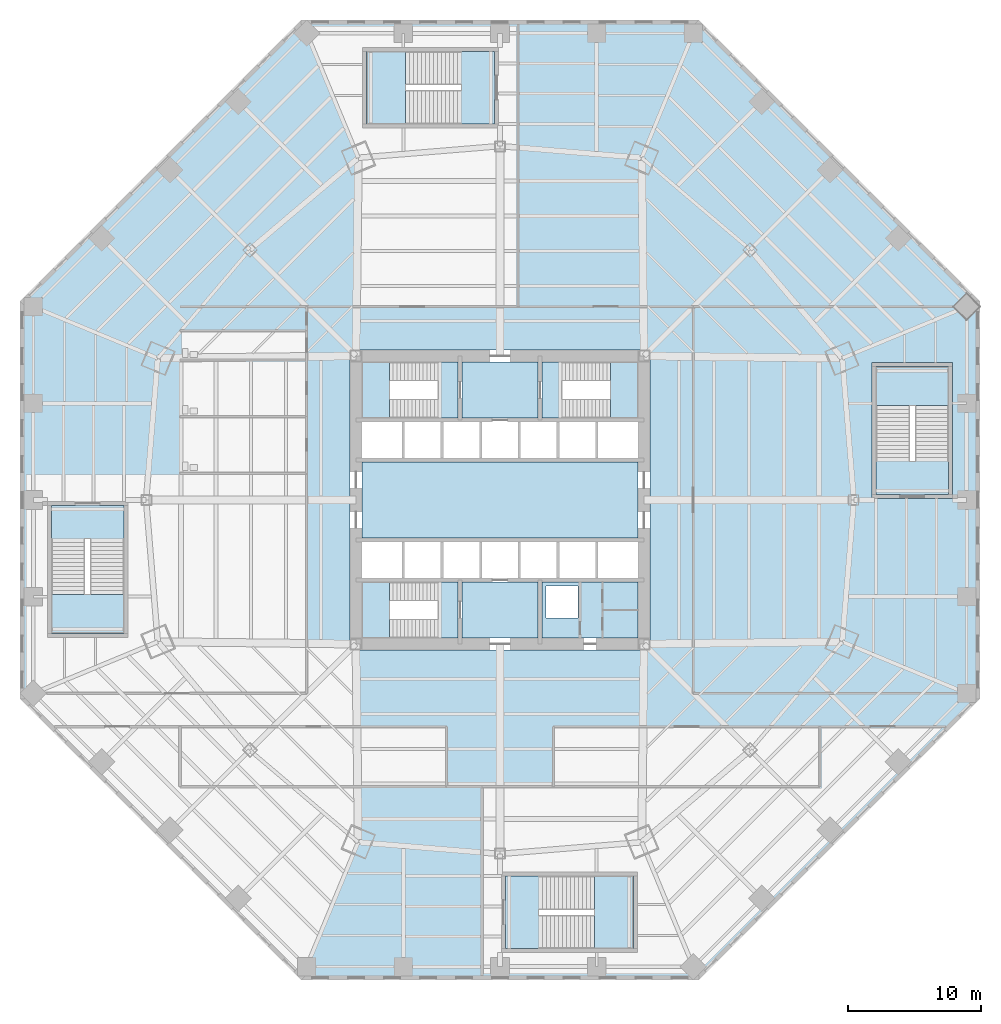
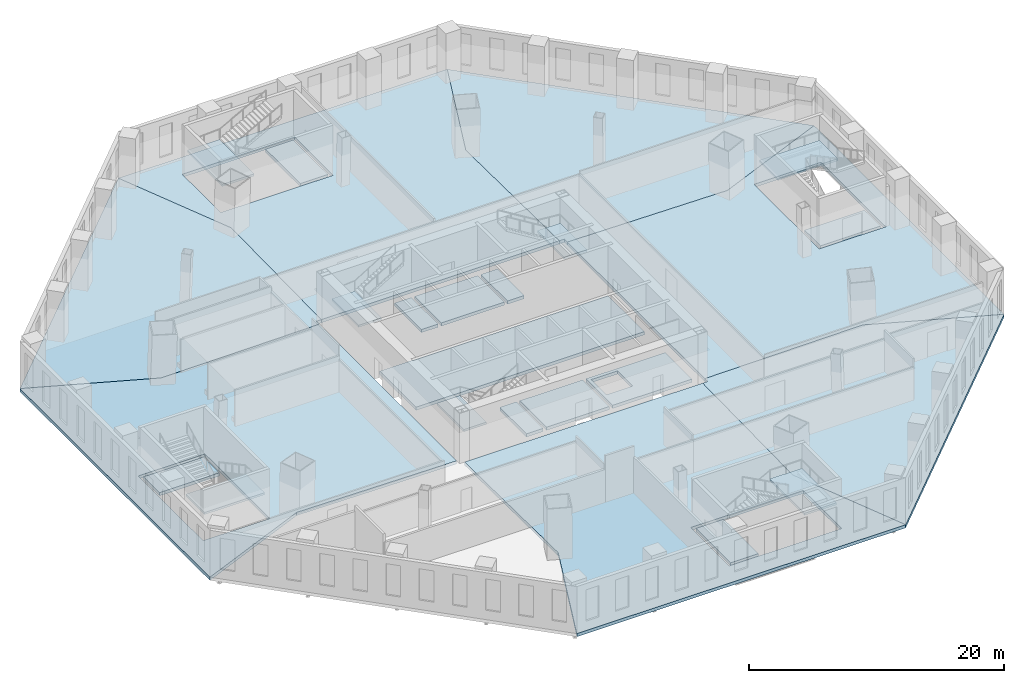
# One storey, part 7 of 19: 25 slabs, 7 elements without a shape of their own.
"""IFC4 building model written with IfcOpenShell, lengths in metres."""

from ifc_helpers import new_model, si_unit, direction, frame, origin, place, context, subcontext, project, spatial, polyline, outline, extrude, material, layer, layer_set, type_object, element, aggregate, save


model = new_model("IFC4")

# Units and contexts
model_context = context("Model", 3, precision=1e-05, world=origin(), true_north=direction((0.0, 1.0)))
body_context = subcontext(model_context, "Body", "Model", "MODEL_VIEW")
ifc_project = project(units=[si_unit("LENGTHUNIT", "METRE"), si_unit("AREAUNIT", "SQUARE_METRE"), si_unit("VOLUMEUNIT", "CUBIC_METRE"), si_unit("PLANEANGLEUNIT", "RADIAN"), si_unit("MASSUNIT", "GRAM", prefix="KILO")], contexts=[model_context])

# Site, building, storey
site_placement = place(None, origin())
site = spatial("IfcSite", under=ifc_project, at=site_placement, CompositionType="ELEMENT")
building_placement = place(site_placement, origin())
building = spatial("IfcBuilding", under=site, at=building_placement, Name="Mashrafa Tower", CompositionType="ELEMENT")
storey_placement = place(building_placement, frame((0.0, 0.0, 24.0)))
storey = spatial("IfcBuildingStorey", under=building, at=storey_placement, Name="L04", CompositionType="ELEMENT", Elevation=24.0)

# Slabs
ifc_material_1 = material(Name="Concrete C35/45", Category="concrete")
ifc_layer_1 = layer(ifc_material_1, 0.300048828125)
ifc_layer_set_1 = layer_set([ifc_layer_1], Name="Floor slab 300")
slab_type_1 = type_object("IfcSlabType", Name="Floor slab 300", PredefinedType="FLOOR", material=ifc_layer_set_1)
slab_1_placement = place(storey_placement, frame((0.0, 0.0, -0.300048828125)))
element("IfcSlab", 1, at=slab_1_placement, inside=storey, type_object=slab_type_1, Name="Floor slab L04 east bay", PredefinedType="FLOOR", context=body_context, shape_type="SweptSolid", body=[
    extrude(outline(polyline([(36.0, 14.91162109375), (36.0, -14.91162109375), (36.0, -14.91162109375), (35.0, -14.49755859375), (25.666015625, -10.631103515625), (11.25, -10.794921875), (11.25, 10.794921875), (25.666015625, 10.631103515625), (35.0, 14.49755859375), (36.0, 14.91162109375), (36.0, 14.91162109375)]), holes=[polyline([(33.949951171875, 0.10009765625), (33.949951171875, 10.300048828125), (27.89990234375, 10.300048828125), (27.89990234375, 0.10009765625), (33.949951171875, 0.10009765625)])]), origin(), (0.0, 0.0, 1.0), 0.300048828125),
])
slab_2_placement = place(storey_placement, frame((0.0, 0.0, -0.300048828125)))
element("IfcSlab", 2, at=slab_2_placement, inside=storey, type_object=slab_type_1, Name="Floor slab L04 north-east bay", PredefinedType="FLOOR", context=body_context, shape_type="SweptSolid", body=[
    extrude(outline(polyline([(36.0, 14.91162109375), (35.0, 14.49755859375), (25.666015625, 10.631103515625), (11.25, 10.794921875), (11.25, 11.25), (10.794921875, 11.25), (10.631103515625, 25.666015625), (14.49755859375, 35.0), (14.91162109375, 36.0), (36.0, 14.91162109375)])), origin(), (0.0, 0.0, 1.0), 0.300048828125),
])
slab_3_placement = place(storey_placement, frame((0.0, 0.0, -0.300048828125)))
element("IfcSlab", 3, at=slab_3_placement, inside=storey, type_object=slab_type_1, Name="Floor slab L04 north bay", PredefinedType="FLOOR", context=body_context, shape_type="SweptSolid", body=[
    extrude(outline(polyline([(-14.91162109375, 36.0), (14.91162109375, 36.0), (14.91162109375, 36.0), (14.49755859375, 35.0), (10.631103515625, 25.666015625), (10.794921875, 11.25), (-10.794921875, 11.25), (-10.631103515625, 25.666015625), (-14.49755859375, 35.0), (-14.91162109375, 36.0), (-14.91162109375, 36.0)]), holes=[polyline([(-10.300048828125, 27.89990234375), (-0.10009765625, 27.89990234375), (-0.10009765625, 33.949951171875), (-10.300048828125, 33.949951171875), (-10.300048828125, 27.89990234375)])]), origin(), (0.0, 0.0, 1.0), 0.300048828125),
])
slab_4_placement = place(storey_placement, frame((0.0, 0.0, -0.300048828125)))
element("IfcSlab", 4, at=slab_4_placement, inside=storey, type_object=slab_type_1, Name="Floor slab L04 north-west bay", PredefinedType="FLOOR", context=body_context, shape_type="SweptSolid", body=[
    extrude(outline(polyline([(-14.91162109375, 36.0), (-14.49755859375, 35.0), (-10.631103515625, 25.666015625), (-10.794921875, 11.25), (-11.25, 11.25), (-11.25, 10.794921875), (-25.666015625, 10.631103515625), (-35.0, 14.49755859375), (-36.0, 14.91162109375), (-14.91162109375, 36.0)])), origin(), (0.0, 0.0, 1.0), 0.300048828125),
])
slab_5_placement = place(storey_placement, frame((0.0, 0.0, -0.300048828125)))
element("IfcSlab", 5, at=slab_5_placement, inside=storey, type_object=slab_type_1, Name="Floor slab L04 west bay", PredefinedType="FLOOR", context=body_context, shape_type="SweptSolid", body=[
    extrude(outline(polyline([(-36.0, -14.91162109375), (-36.0, 14.91162109375), (-36.0, 14.91162109375), (-35.0, 14.49755859375), (-25.666015625, 10.631103515625), (-11.25, 10.794921875), (-11.25, -10.794921875), (-25.666015625, -10.631103515625), (-35.0, -14.49755859375), (-36.0, -14.91162109375), (-36.0, -14.91162109375)]), holes=[polyline([(-27.89990234375, -10.300048828125), (-27.89990234375, -0.10009765625), (-33.949951171875, -0.10009765625), (-33.949951171875, -10.300048828125), (-27.89990234375, -10.300048828125)])]), origin(), (0.0, 0.0, 1.0), 0.300048828125),
])
slab_6_placement = place(storey_placement, frame((0.0, 0.0, -0.300048828125)))
element("IfcSlab", 6, at=slab_6_placement, inside=storey, type_object=slab_type_1, Name="Floor slab L04 south bay", PredefinedType="FLOOR", context=body_context, shape_type="SweptSolid", body=[
    extrude(outline(polyline([(-14.91162109375, -36.0), (-14.91162109375, -36.0), (-14.49755859375, -35.0), (-10.631103515625, -25.666015625), (-10.794921875, -11.25), (10.794921875, -11.25), (10.631103515625, -25.666015625), (14.49755859375, -35.0), (14.91162109375, -36.0), (14.91162109375, -36.0), (-14.91162109375, -36.0)]), holes=[polyline([(10.300048828125, -33.949951171875), (10.300048828125, -27.89990234375), (0.10009765625, -27.89990234375), (0.10009765625, -33.949951171875), (10.300048828125, -33.949951171875)])]), origin(), (0.0, 0.0, 1.0), 0.300048828125),
])
slab_7_placement = place(storey_placement, frame((0.0, 0.0, -0.300048828125)))
element("IfcSlab", 7, at=slab_7_placement, inside=storey, type_object=slab_type_1, Name="Floor slab L04 south-east bay", PredefinedType="FLOOR", context=body_context, shape_type="SweptSolid", body=[
    extrude(outline(polyline([(14.91162109375, -36.0), (14.49755859375, -35.0), (10.631103515625, -25.666015625), (10.794921875, -11.25), (11.25, -11.25), (11.25, -10.794921875), (25.666015625, -10.631103515625), (35.0, -14.49755859375), (36.0, -14.91162109375), (14.91162109375, -36.0)])), origin(), (0.0, 0.0, 1.0), 0.300048828125),
])
slab_8_placement = place(storey_placement, frame((0.0, 0.0, -0.300048828125)))
element("IfcSlab", 8, at=slab_8_placement, inside=storey, type_object=slab_type_1, Name="Core floor lift hall L04", PredefinedType="FLOOR", context=body_context, shape_type="SweptSolid", body=[
    extrude(outline(polyline([(-10.35009765625, 2.85009765625), (10.35009765625, 2.85009765625), (10.35009765625, -2.85009765625), (-10.35009765625, -2.85009765625), (-10.35009765625, 2.85009765625)])), origin(), (0.0, 0.0, 1.0), 0.300048828125),
])
slab_9_placement = place(storey_placement, frame((0.0, 0.0, -0.300048828125)))
element("IfcSlab", 9, at=slab_9_placement, inside=storey, type_object=slab_type_1, Name="Core floor riser and electrical band L04", PredefinedType="FLOOR", context=body_context, shape_type="SweptSolid", body=[
    extrude(outline(polyline([(10.35009765625, -6.14990234375), (10.35009765625, -10.35009765625), (3.14990234375, -10.35009765625), (3.14990234375, -6.14990234375), (10.35009765625, -6.14990234375)]), holes=[polyline([(3.449951171875, -8.85009765625), (5.85009765625, -8.85009765625), (5.85009765625, -6.449951171875), (3.449951171875, -6.449951171875), (3.449951171875, -8.85009765625)])]), origin(), (0.0, 0.0, 1.0), 0.300048828125),
])
slab_10_placement = place(storey_placement, frame((0.0, 0.0, -0.300048828125)))
element("IfcSlab", 10, at=slab_10_placement, inside=storey, type_object=slab_type_1, Name="Core floor fire-fighting lobby north L04", PredefinedType="FLOOR", context=body_context, shape_type="SweptSolid", body=[
    extrude(outline(polyline([(-2.85009765625, 10.35009765625), (2.85009765625, 10.35009765625), (2.85009765625, 6.14990234375), (-2.85009765625, 6.14990234375), (-2.85009765625, 10.35009765625)])), origin(), (0.0, 0.0, 1.0), 0.300048828125),
])
slab_11_placement = place(storey_placement, frame((0.0, 0.0, -0.300048828125)))
element("IfcSlab", 11, at=slab_11_placement, inside=storey, type_object=slab_type_1, Name="Core floor fire-fighting lobby south L04", PredefinedType="FLOOR", context=body_context, shape_type="SweptSolid", body=[
    extrude(outline(polyline([(2.85009765625, -6.14990234375), (2.85009765625, -10.35009765625), (-2.85009765625, -10.35009765625), (-2.85009765625, -6.14990234375), (2.85009765625, -6.14990234375)])), origin(), (0.0, 0.0, 1.0), 0.300048828125),
])

# Stair, slab
ifc_material_2 = material(Name="Exit stair 1400")
stair_type_1 = type_object("IfcStairType", Name="Exit stair 1400", PredefinedType="HALF_TURN_STAIR", material=ifc_material_2)
stair_1_placement = place(storey_placement, origin())
stair_1 = element("IfcStair", 12, at=stair_1_placement, inside=storey, type_object=stair_type_1, Name="Stair S1 L04", PredefinedType="HALF_TURN_STAIR")
ifc_material_3 = material(Name="Concrete C32/40", Category="concrete")
ifc_layer_2 = layer(ifc_material_3, 0.199951171875)
ifc_layer_set_2 = layer_set([ifc_layer_2], Name="Stair landing 200")
slab_type_2 = type_object("IfcSlabType", Name="Stair landing 200", PredefinedType="LANDING", material=ifc_layer_set_2)
slab_12_placement = place(storey_placement, frame((0.0, 0.0, 2.199951171875)))
slab_12 = element("IfcSlab", 13, at=slab_12_placement, type_object=slab_type_2, Name="S1 landing 2", PredefinedType="LANDING", context=body_context, shape_type="SweptSolid", body=[
    extrude(outline(polyline([(-10.35009765625, 6.14990234375), (-8.280029296875, 6.14990234375), (-8.280029296875, 10.35009765625), (-10.35009765625, 10.35009765625), (-10.35009765625, 6.14990234375)])), origin(), (0.0, 0.0, 1.0), 0.199951171875),
])

stair_2_placement = place(storey_placement, origin())
stair_2 = element("IfcStair", 14, at=stair_2_placement, inside=storey, type_object=stair_type_1, Name="Stair S2 L04", PredefinedType="HALF_TURN_STAIR")
slab_13_placement = place(storey_placement, frame((0.0, 0.0, 2.199951171875)))
slab_13 = element("IfcSlab", 15, at=slab_13_placement, type_object=slab_type_2, Name="S2 landing 2", PredefinedType="LANDING", context=body_context, shape_type="SweptSolid", body=[
    extrude(outline(polyline([(8.280029296875, 6.14990234375), (10.35009765625, 6.14990234375), (10.35009765625, 10.35009765625), (8.280029296875, 10.35009765625), (8.280029296875, 6.14990234375)])), origin(), (0.0, 0.0, 1.0), 0.199951171875),
])

stair_3_placement = place(storey_placement, origin())
stair_3 = element("IfcStair", 16, at=stair_3_placement, inside=storey, type_object=stair_type_1, Name="Stair S3 L04", PredefinedType="HALF_TURN_STAIR")
slab_14_placement = place(storey_placement, frame((0.0, 0.0, 2.199951171875)))
slab_14 = element("IfcSlab", 17, at=slab_14_placement, type_object=slab_type_2, Name="S3 landing 2", PredefinedType="LANDING", context=body_context, shape_type="SweptSolid", body=[
    extrude(outline(polyline([(-10.35009765625, -10.35009765625), (-8.280029296875, -10.35009765625), (-8.280029296875, -6.14990234375), (-10.35009765625, -6.14990234375), (-10.35009765625, -10.35009765625)])), origin(), (0.0, 0.0, 1.0), 0.199951171875),
])

ifc_material_4 = material(Name="Exit stair 2500")
stair_type_2 = type_object("IfcStairType", Name="Exit stair 2500", PredefinedType="HALF_TURN_STAIR", material=ifc_material_4)
stair_4_placement = place(storey_placement, origin())
stair_4 = element("IfcStair", 18, at=stair_4_placement, inside=storey, type_object=stair_type_2, Name="Stair P1 L04", PredefinedType="HALF_TURN_STAIR")
slab_15_placement = place(storey_placement, frame((0.0, 0.0, 2.199951171875)))
slab_15 = element("IfcSlab", 19, at=slab_15_placement, type_object=slab_type_2, Name="P1 landing 2", PredefinedType="LANDING", context=body_context, shape_type="SweptSolid", body=[
    extrude(outline(polyline([(33.64990234375, 7.090087890625), (33.64990234375, 10.0), (28.199951171875, 10.0), (28.199951171875, 7.090087890625), (33.64990234375, 7.090087890625)])), origin(), (0.0, 0.0, 1.0), 0.199951171875),
])

stair_5_placement = place(storey_placement, origin())
stair_5 = element("IfcStair", 20, at=stair_5_placement, inside=storey, type_object=stair_type_2, Name="Stair P2 L04", PredefinedType="HALF_TURN_STAIR")
slab_16_placement = place(storey_placement, frame((0.0, 0.0, 2.199951171875)))
slab_16 = element("IfcSlab", 21, at=slab_16_placement, type_object=slab_type_2, Name="P2 landing 2", PredefinedType="LANDING", context=body_context, shape_type="SweptSolid", body=[
    extrude(outline(polyline([(-10.0, 28.199951171875), (-7.090087890625, 28.199951171875), (-7.090087890625, 33.64990234375), (-10.0, 33.64990234375), (-10.0, 28.199951171875)])), origin(), (0.0, 0.0, 1.0), 0.199951171875),
])

stair_6_placement = place(storey_placement, origin())
stair_6 = element("IfcStair", 22, at=stair_6_placement, inside=storey, type_object=stair_type_2, Name="Stair P3 L04", PredefinedType="HALF_TURN_STAIR")
slab_17_placement = place(storey_placement, frame((0.0, 0.0, 2.199951171875)))
slab_17 = element("IfcSlab", 23, at=slab_17_placement, type_object=slab_type_2, Name="P3 landing 2", PredefinedType="LANDING", context=body_context, shape_type="SweptSolid", body=[
    extrude(outline(polyline([(-28.199951171875, -10.0), (-28.199951171875, -7.090087890625), (-33.64990234375, -7.090087890625), (-33.64990234375, -10.0), (-28.199951171875, -10.0)])), origin(), (0.0, 0.0, 1.0), 0.199951171875),
])

stair_7_placement = place(storey_placement, origin())
stair_7 = element("IfcStair", 24, at=stair_7_placement, inside=storey, type_object=stair_type_2, Name="Stair P4 L04", PredefinedType="HALF_TURN_STAIR")
slab_18_placement = place(storey_placement, frame((0.0, 0.0, 2.199951171875)))
slab_18 = element("IfcSlab", 25, at=slab_18_placement, type_object=slab_type_2, Name="P4 landing 2", PredefinedType="LANDING", context=body_context, shape_type="SweptSolid", body=[
    extrude(outline(polyline([(7.090087890625, -33.64990234375), (10.0, -33.64990234375), (10.0, -28.199951171875), (7.090087890625, -28.199951171875), (7.090087890625, -33.64990234375)])), origin(), (0.0, 0.0, 1.0), 0.199951171875),
])

# Slab
ifc_material_5 = material(Name="Concrete C32/40", Category="concrete")
ifc_layer_3 = layer(ifc_material_5, 0.300048828125)
ifc_layer_set_3 = layer_set([ifc_layer_3], Name="Stair landing 300")
slab_type_3 = type_object("IfcSlabType", Name="Stair landing 300", PredefinedType="LANDING", material=ifc_layer_set_3)
slab_19_placement = place(storey_placement, frame((0.0, 0.0, -0.300048828125)))
slab_19 = element("IfcSlab", 26, at=slab_19_placement, type_object=slab_type_3, Name="S1 landing 1", PredefinedType="LANDING", context=body_context, shape_type="SweptSolid", body=[
    extrude(outline(polyline([(-4.659912109375, 6.14990234375), (-3.14990234375, 6.14990234375), (-3.14990234375, 10.35009765625), (-4.659912109375, 10.35009765625), (-4.659912109375, 6.14990234375)])), origin(), (0.0, 0.0, 1.0), 0.300048828125),
])

aggregate(stair_1, [slab_19, slab_12])

slab_20_placement = place(storey_placement, frame((0.0, 0.0, -0.300048828125)))
slab_20 = element("IfcSlab", 27, at=slab_20_placement, type_object=slab_type_3, Name="S2 landing 1", PredefinedType="LANDING", context=body_context, shape_type="SweptSolid", body=[
    extrude(outline(polyline([(3.14990234375, 6.14990234375), (4.659912109375, 6.14990234375), (4.659912109375, 10.35009765625), (3.14990234375, 10.35009765625), (3.14990234375, 6.14990234375)])), origin(), (0.0, 0.0, 1.0), 0.300048828125),
])

aggregate(stair_2, [slab_20, slab_13])

slab_21_placement = place(storey_placement, frame((0.0, 0.0, -0.300048828125)))
slab_21 = element("IfcSlab", 28, at=slab_21_placement, type_object=slab_type_3, Name="S3 landing 1", PredefinedType="LANDING", context=body_context, shape_type="SweptSolid", body=[
    extrude(outline(polyline([(-4.659912109375, -10.35009765625), (-3.14990234375, -10.35009765625), (-3.14990234375, -6.14990234375), (-4.659912109375, -6.14990234375), (-4.659912109375, -10.35009765625)])), origin(), (0.0, 0.0, 1.0), 0.300048828125),
])

aggregate(stair_3, [slab_21, slab_14])

slab_22_placement = place(storey_placement, frame((0.0, 0.0, -0.300048828125)))
slab_22 = element("IfcSlab", 29, at=slab_22_placement, type_object=slab_type_3, Name="P1 landing 1", PredefinedType="LANDING", context=body_context, shape_type="SweptSolid", body=[
    extrude(outline(polyline([(33.64990234375, 0.39990234375), (33.64990234375, 2.909912109375), (28.199951171875, 2.909912109375), (28.199951171875, 0.39990234375), (33.64990234375, 0.39990234375)])), origin(), (0.0, 0.0, 1.0), 0.300048828125),
])

aggregate(stair_4, [slab_22, slab_15])

slab_23_placement = place(storey_placement, frame((0.0, 0.0, -0.300048828125)))
slab_23 = element("IfcSlab", 30, at=slab_23_placement, type_object=slab_type_3, Name="P2 landing 1", PredefinedType="LANDING", context=body_context, shape_type="SweptSolid", body=[
    extrude(outline(polyline([(-2.909912109375, 28.199951171875), (-0.39990234375, 28.199951171875), (-0.39990234375, 33.64990234375), (-2.909912109375, 33.64990234375), (-2.909912109375, 28.199951171875)])), origin(), (0.0, 0.0, 1.0), 0.300048828125),
])

aggregate(stair_5, [slab_23, slab_16])

slab_24_placement = place(storey_placement, frame((0.0, 0.0, -0.300048828125)))
slab_24 = element("IfcSlab", 31, at=slab_24_placement, type_object=slab_type_3, Name="P3 landing 1", PredefinedType="LANDING", context=body_context, shape_type="SweptSolid", body=[
    extrude(outline(polyline([(-28.199951171875, -2.909912109375), (-28.199951171875, -0.39990234375), (-33.64990234375, -0.39990234375), (-33.64990234375, -2.909912109375), (-28.199951171875, -2.909912109375)])), origin(), (0.0, 0.0, 1.0), 0.300048828125),
])

aggregate(stair_6, [slab_24, slab_17])

slab_25_placement = place(storey_placement, frame((0.0, 0.0, -0.300048828125)))
slab_25 = element("IfcSlab", 32, at=slab_25_placement, type_object=slab_type_3, Name="P4 landing 1", PredefinedType="LANDING", context=body_context, shape_type="SweptSolid", body=[
    extrude(outline(polyline([(0.39990234375, -33.64990234375), (2.909912109375, -33.64990234375), (2.909912109375, -28.199951171875), (0.39990234375, -28.199951171875), (0.39990234375, -33.64990234375)])), origin(), (0.0, 0.0, 1.0), 0.300048828125),
])

aggregate(stair_7, [slab_25, slab_18])

save(model, "model.ifc")
